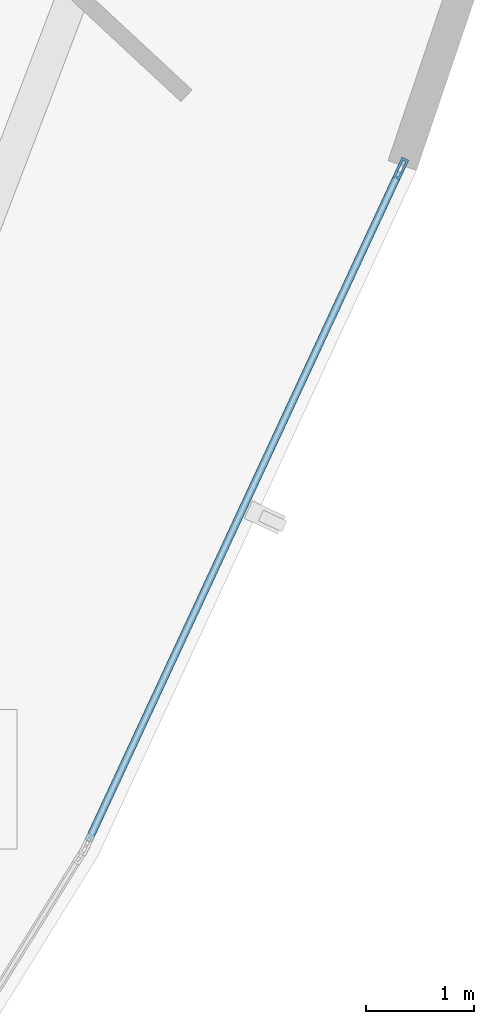
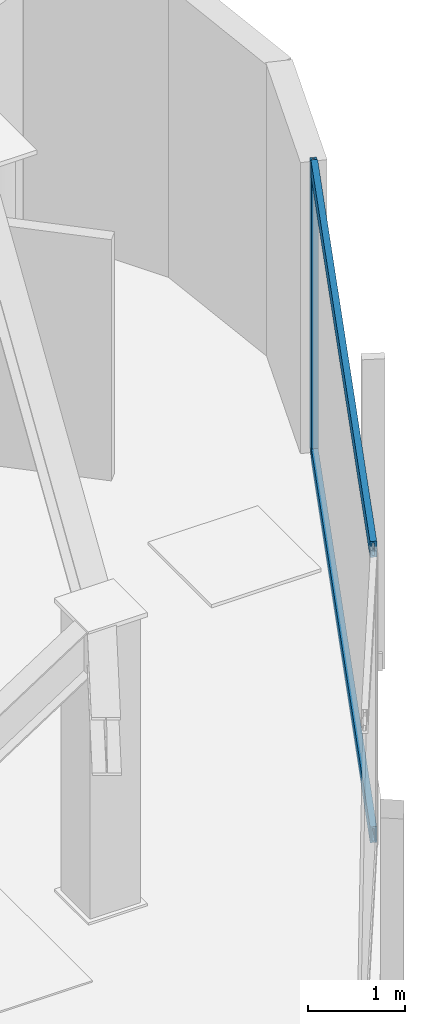
# One storey, part 5 of 13: 3 members, 1 element without a shape of its own.
"""IFC4 building model written with IfcOpenShell, lengths in metres."""

from ifc_helpers import new_model, si_unit, direction, frame, origin, origin_2d, place, context, subcontext, project, spatial, hollow_rectangle, extrude, source, transform, mapped, material, layer, layer_set, material_profile, profile_set, type_object, type_shapes, element, aggregate, save


model = new_model("IFC4")

# Units and contexts
model_context = context("Model", 3, precision=1e-05, world=origin(), true_north=direction((0.0, 1.0)))
body_context = subcontext(model_context, "Body", "Model", "MODEL_VIEW")
ifc_project = project(units=[si_unit("LENGTHUNIT", "METRE"), si_unit("AREAUNIT", "SQUARE_METRE"), si_unit("VOLUMEUNIT", "CUBIC_METRE"), si_unit("PLANEANGLEUNIT", "RADIAN"), si_unit("MASSUNIT", "GRAM", prefix="KILO")], contexts=[model_context])

# Site, building, storey
site_placement = place(None, origin())
site = spatial("IfcSite", under=ifc_project, at=site_placement, CompositionType="ELEMENT")
building_placement = place(site_placement, origin())
building = spatial("IfcBuilding", under=site, at=building_placement, Name="Tavelor Broadcast Tower", CompositionType="ELEMENT")
storey_placement = place(building_placement, frame((0.0, 0.0, 241.89990234375)))
storey = spatial("IfcBuildingStorey", under=building, at=storey_placement, Name="L57", CompositionType="ELEMENT", Elevation=241.89990234375)

# Curtain wall, members
ifc_material = material(Name="Architectural Anodized Aluminium", Category="aluminium")
ifc_layer = layer(ifc_material, 0.199951171875)
ifc_layer_set = layer_set([ifc_layer], Name="Architectural Anodized Aluminium")
curtain_wall_type = type_object("IfcCurtainWallType", Name="Tower High-Zone Triple-Glazed Curtain Wall CW04", PredefinedType="NOTDEFINED", material=ifc_layer_set)
curtain_wall_placement = place(storey_placement, origin())
curtain_wall = element("IfcCurtainWall", 1, at=curtain_wall_placement, inside=storey, type_object=curtain_wall_type, Name="L57 Curtain Wall CW04 Run 620", PredefinedType="NOTDEFINED")
ifc_material_profile_1 = material_profile(ifc_material, hollow_rectangle(XDim=0.070068359375, YDim=0.199951171875, WallThickness=0.02197265625, at=origin_2d()), Name="RHS 70x200x22")
ifc_profile_set_1 = profile_set([ifc_material_profile_1], Name="Architectural Anodized Aluminium")
member_type_1 = type_object("IfcMemberType", Name="CW04 Extruded Aluminium Mullion 70x200", PredefinedType="MULLION", material=ifc_profile_set_1)
shared_shape_1 = source(origin(), body_context, "Body", "SweptSolid", [
    extrude(hollow_rectangle(XDim=0.070068359375, YDim=0.199951171875, WallThickness=0.02197265625, at=origin_2d()), origin(), (0.0, 0.0, 1.0), 3.650146484375),
])
type_shapes(member_type_1, [shared_shape_1])
member_1_placement = place(storey_placement, frame((71.7861328125, 49.711669921875, 0.0), z_axis=(0.0, 0.0, 1.0), x_axis=(-0.906868865828, 0.421412933109, 0.0)))
member_1 = element("IfcMember", 2, at=member_1_placement, type_object=member_type_1, Name="CW04 mullion 2", PredefinedType="MULLION", context=body_context, shape_type="MappedRepresentation", body=[
    mapped(shared_shape_1, transform((0.0, 0.0, 0.0), scale=1.0)),
])
ifc_material_profile_2 = material_profile(ifc_material, hollow_rectangle(XDim=0.070068359375, YDim=0.199951171875, WallThickness=0.02197265625, at=origin_2d()), Name="RHS 70x200x22")
ifc_profile_set_2 = profile_set([ifc_material_profile_2], Name="Architectural Anodized Aluminium")
member_type_2 = type_object("IfcMemberType", Name="CW04 Extruded Aluminium Transom 70x200", PredefinedType="USERDEFINED", material=ifc_profile_set_2)
shared_shape_2 = source(origin(), body_context, "Body", "SweptSolid", [
    extrude(hollow_rectangle(XDim=0.070068359375, YDim=0.199951171875, WallThickness=0.02197265625, at=origin_2d()), origin(), (0.0, 0.0, 1.0), 6.86328125),
])
type_shapes(member_type_2, [shared_shape_2])
member_2_placement = place(storey_placement, frame((68.879150390625, 43.455810546875, 0.03515625), z_axis=(0.42138929547, 0.906879849629, 0.0), x_axis=(-0.906879849629, 0.42138929547, 0.0)))
member_2 = element("IfcMember", 3, at=member_2_placement, type_object=member_type_2, Name="CW04 transom 1.1", ObjectType="TRANSOM", PredefinedType="USERDEFINED", context=body_context, shape_type="MappedRepresentation", body=[
    mapped(shared_shape_2, transform((0.0, 0.0, 0.0), scale=1.0)),
])
member_3_placement = place(storey_placement, frame((68.879150390625, 43.455810546875, 3.614990234375), z_axis=(0.42138929547, 0.906879849629, 0.0), x_axis=(-0.906879849629, 0.42138929547, 0.0)))
member_3 = element("IfcMember", 4, at=member_3_placement, type_object=member_type_2, Name="CW04 transom 1.2", ObjectType="TRANSOM", PredefinedType="USERDEFINED", context=body_context, shape_type="MappedRepresentation", body=[
    mapped(shared_shape_2, transform((0.0, 0.0, 0.0), scale=1.0)),
])
aggregate(curtain_wall, [member_1, member_2, member_3])

save(model, "model.ifc")
